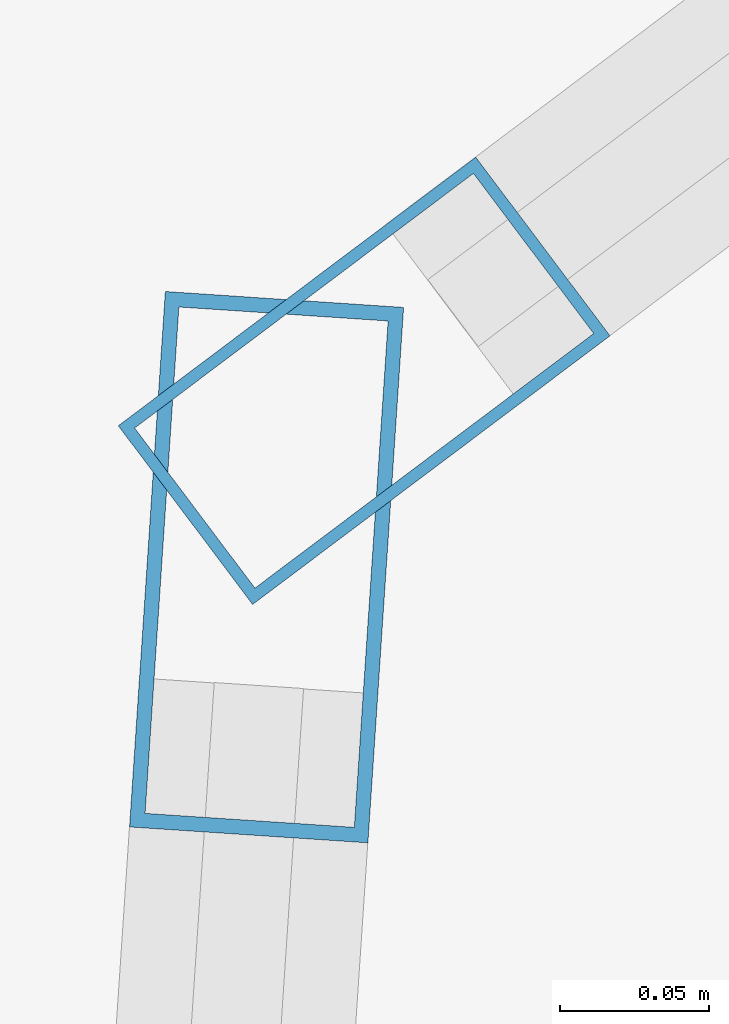
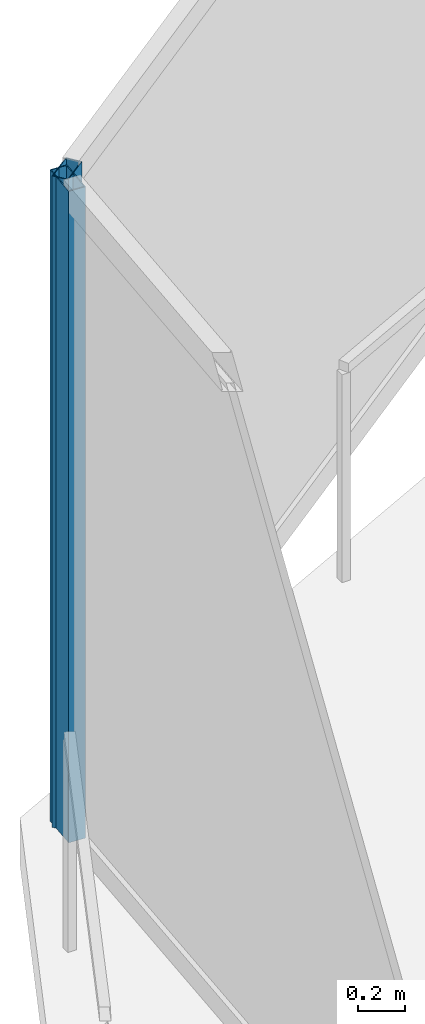
# One storey, part 16 of 30: 2 members, 2 elements without a shape of their own.
"""IFC4 building model written with IfcOpenShell, lengths in metres."""

from ifc_helpers import new_model, si_unit, direction, frame, origin, origin_2d, place, context, subcontext, project, spatial, hollow_rectangle, extrude, material, layer, layer_set, material_profile, profile_set, type_object, element, aggregate, save


model = new_model("IFC4")

# Units and contexts
model_context = context("Model", 3, precision=1e-05, world=origin(), true_north=direction((0.0, 1.0)))
body_context = subcontext(model_context, "Body", "Model", "MODEL_VIEW")
ifc_project = project(units=[si_unit("LENGTHUNIT", "METRE"), si_unit("AREAUNIT", "SQUARE_METRE"), si_unit("VOLUMEUNIT", "CUBIC_METRE"), si_unit("PLANEANGLEUNIT", "RADIAN"), si_unit("MASSUNIT", "GRAM", prefix="KILO")], contexts=[model_context])

# Site, building, storey
site_placement = place(None, origin())
site = spatial("IfcSite", under=ifc_project, at=site_placement, CompositionType="ELEMENT")
building_placement = place(site_placement, origin())
building = spatial("IfcBuilding", under=site, at=building_placement, Name="Kazevale Care Tower and Concert Hall", CompositionType="ELEMENT")
storey_placement = place(building_placement, frame((0.0, 0.0, 113.39990234375)))
storey = spatial("IfcBuildingStorey", under=building, at=storey_placement, Name="L29", CompositionType="ELEMENT", Elevation=113.39990234375)

# Curtain wall, member
ifc_material_1 = material(Name="Aluminium 6063-T6 and Low-E Glass", Category="aluminium")
ifc_layer_1 = layer(ifc_material_1, 0.179931640625)
ifc_layer_set_1 = layer_set([ifc_layer_1], Name="Aluminium 6063-T6 and Low-E Glass")
curtain_wall_type_1 = type_object("IfcCurtainWallType", Name="Convex Recessed Sunroom Curtain Wall CW-3", PredefinedType="NOTDEFINED", material=ifc_layer_set_1)
curtain_wall_1_placement = place(storey_placement, origin())
curtain_wall_1 = element("IfcCurtainWall", 1, at=curtain_wall_1_placement, inside=storey, type_object=curtain_wall_type_1, Name="cw:L29:f14", PredefinedType="NOTDEFINED")
ifc_material_2 = material(Name="Aluminium 6063-T6", Category="aluminium")
ifc_material_profile_1 = material_profile(ifc_material_2, hollow_rectangle(XDim=0.074951171875, YDim=0.14990234375, WallThickness=0.00390625, at=origin_2d()), Name="ALU75x150x4")
ifc_profile_set_1 = profile_set([ifc_material_profile_1], Name="Aluminium 6063-T6")
member_type_1 = type_object("IfcMemberType", Name="CW-3 Mullion ALU75x150x4", PredefinedType="MULLION", material=ifc_profile_set_1)
member_1_placement = place(storey_placement, frame((16.55908203125, 49.66748046875, 0.0), z_axis=(0.0, 0.0, 1.0), x_axis=(-0.600797902474, 0.799400950952, 0.0)))
member_1 = element("IfcMember", 2, at=member_1_placement, type_object=member_type_1, Name="CW-3 mullion 1", PredefinedType="MULLION", context=body_context, shape_type="SweptSolid", body=[
    extrude(hollow_rectangle(XDim=0.074951171875, YDim=0.14990234375, WallThickness=0.00390625, at=origin_2d()), origin(), (0.0, 0.0, 1.0), 3.360107421875),
])
aggregate(curtain_wall_1, [member_1])

ifc_layer_2 = layer(ifc_material_1, 0.179931640625)
ifc_layer_set_2 = layer_set([ifc_layer_2], Name="Aluminium 6063-T6 and Low-E Glass")
curtain_wall_type_2 = type_object("IfcCurtainWallType", Name="Waist & Upper Residential Curtain Wall CW-4", PredefinedType="NOTDEFINED", material=ifc_layer_set_2)
curtain_wall_2_placement = place(storey_placement, origin())
curtain_wall_2 = element("IfcCurtainWall", 3, at=curtain_wall_2_placement, inside=storey, type_object=curtain_wall_type_2, Name="cw:L29:f13", PredefinedType="NOTDEFINED")
ifc_material_profile_2 = material_profile(ifc_material_2, hollow_rectangle(XDim=0.080078125, YDim=0.179931640625, WallThickness=0.0048828125, at=origin_2d()), Name="ALU80x180x5")
ifc_profile_set_2 = profile_set([ifc_material_profile_2], Name="Aluminium 6063-T6")
member_type_2 = type_object("IfcMemberType", Name="CW-4 Mullion ALU80x180x5", PredefinedType="MULLION", material=ifc_profile_set_2)
member_2_placement = place(storey_placement, frame((16.5263671875, 49.60498046875, 0.0), z_axis=(0.0, 0.0, 1.0), x_axis=(-0.997778418439, 0.06662002475, 0.0)))
member_2 = element("IfcMember", 4, at=member_2_placement, type_object=member_type_2, Name="CW-4 mullion 2", PredefinedType="MULLION", context=body_context, shape_type="SweptSolid", body=[
    extrude(hollow_rectangle(XDim=0.080078125, YDim=0.179931640625, WallThickness=0.0048828125, at=origin_2d()), origin(), (0.0, 0.0, 1.0), 3.360107421875),
])
aggregate(curtain_wall_2, [member_2])

save(model, "model.ifc")
